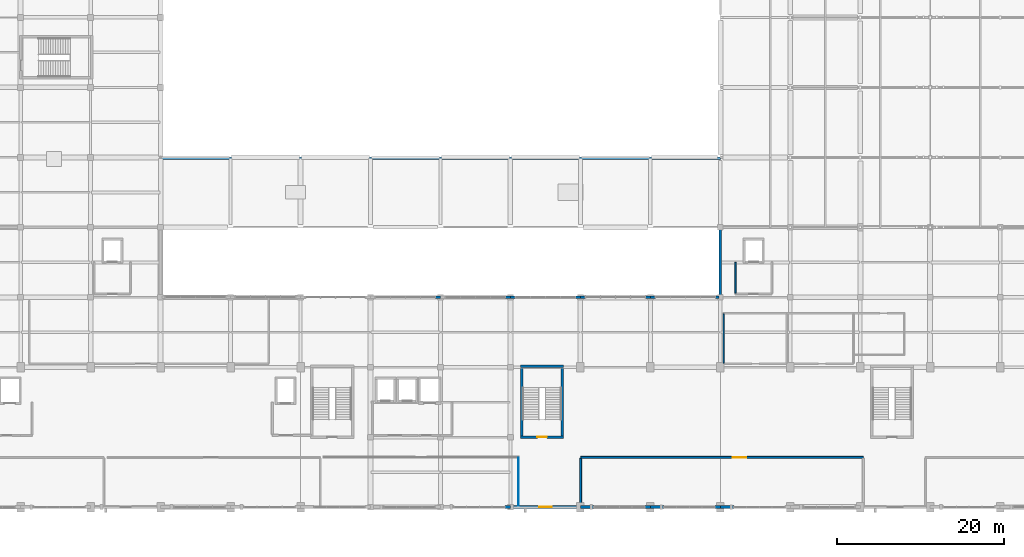
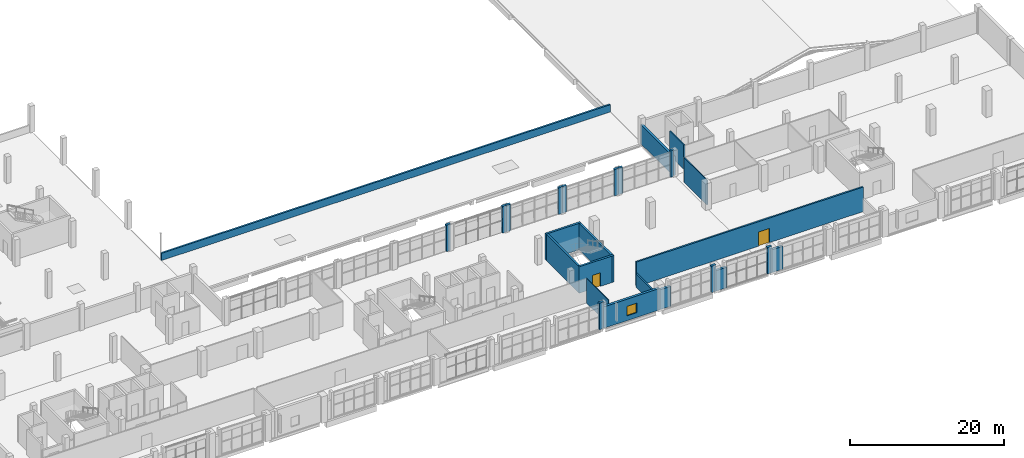
# One storey, part 55 of 64: 26 walls, 2 doors, 1 window, 3 openings.
"""IFC4 building model written with IfcOpenShell, lengths in metres."""

from ifc_helpers import new_model, si_unit, derived_unit, direction, frame, frame_2d, origin, place, context, subcontext, project, spatial, rectangle, extrude, material, layer, layer_set, type_object, element, fill, save


model = new_model("IFC4")

# Units and contexts
model_context = context("Model", 3, precision=1e-05, world=origin(), true_north=direction((0.0, 1.0)))
body_context = subcontext(model_context, "Body", "Model", "MODEL_VIEW")
ifc_project = project(units=[si_unit("LENGTHUNIT", "METRE"), si_unit("AREAUNIT", "SQUARE_METRE"), si_unit("VOLUMEUNIT", "CUBIC_METRE"), si_unit("PLANEANGLEUNIT", "RADIAN"), si_unit("MASSUNIT", "GRAM", prefix="KILO"), derived_unit("THERMALTRANSMITTANCEUNIT", [(si_unit("POWERUNIT", "WATT"), 1), (si_unit("LENGTHUNIT", "METRE"), -2), (si_unit("THERMODYNAMICTEMPERATUREUNIT", "KELVIN"), -1)])], contexts=[model_context])

# Site, building, storey
site_placement = place(None, origin())
site = spatial("IfcSite", under=ifc_project, at=site_placement, CompositionType="ELEMENT")
building_placement = place(site_placement, origin())
building = spatial("IfcBuilding", under=site, at=building_placement, Name="Barrovel Congress Hotel", CompositionType="ELEMENT")
storey_placement = place(building_placement, frame((0.0, 0.0, 14.10009765625)))
storey = spatial("IfcBuildingStorey", under=building, at=storey_placement, Name="L03", CompositionType="ELEMENT", Elevation=14.10009765625)

# Walls
ifc_material_1 = material(Name="Fired Clay Brick Masonry", Category="masonry")
ifc_layer_1 = layer(ifc_material_1, 0.340087890625)
ifc_layer_set_1 = layer_set([ifc_layer_1], Name="Fired Clay Brick Masonry")
wall_type_1 = type_object("IfcWallType", Name="EW-BRK340", PredefinedType="STANDARD", material=ifc_layer_set_1)
wall_1_placement = place(storey_placement, frame((125.830078125, 29.39990234375, 0.0), z_axis=(0.0, 0.0, 1.0), x_axis=(-1.0, 0.0, 0.0)))
element("IfcWall", 1, at=wall_1_placement, inside=storey, type_object=wall_type_1, Name="EW:L03:CSJ-R:14", PredefinedType="STANDARD", context=body_context, shape_type="SweptSolid", body=[
    extrude(rectangle(XDim=0.43017578125, YDim=0.340087890625, at=frame_2d((0.215087890625, 0.0))), origin(), (0.0, 0.0, 1.0), 4.199951171875),
])
wall_2_placement = place(storey_placement, frame((118.199951171875, 29.39990234375, 0.0), z_axis=(0.0, 0.0, 1.0), x_axis=(-1.0, 0.0, 0.0)))
element("IfcWall", 2, at=wall_2_placement, inside=storey, type_object=wall_type_1, Name="EW:L03:CSJ-L:14", PredefinedType="STANDARD", context=body_context, shape_type="SweptSolid", body=[
    extrude(rectangle(XDim=0.599853515625, YDim=0.340087890625, at=frame_2d((0.2998046875, 0.0))), origin(), (0.0, 0.0, 1.0), 4.199951171875),
])
for number, where, z_axis, x_axis, name in (
    (3, (117.60009765625, 29.39990234375, 0.0), (0.0, 0.0, 1.0), (-1.0, 0.0, 0.0), "EW:L03:CSJ-R:13"),
    (4, (109.800048828125, 29.39990234375, 0.0), (0.0, 0.0, 1.0), (-1.0, 0.0, 0.0), "EW:L03:CSJ-L:13"),
):
    element("IfcWall", number, at=place(storey_placement, frame(where, z_axis=z_axis, x_axis=x_axis)), inside=storey, type_object=wall_type_1, Name=name, PredefinedType="STANDARD", context=body_context, shape_type="SweptSolid", body=[
        extrude(rectangle(XDim=0.60009765625, YDim=0.340087890625, at=frame_2d((0.300048828125, 0.0))), origin(), (0.0, 0.0, 1.0), 4.199951171875),
    ])
for number, where, z_axis, x_axis, name in (
    (5, (109.199951171875, 29.39990234375, 0.0), (0.0, 0.0, 1.0), (-1.0, 0.0, 0.0), "EW:L03:CSJ-R:12"),
    (6, (101.39990234375, 29.39990234375, 0.0), (0.0, 0.0, 1.0), (-1.0, 0.0, 0.0), "EW:L03:CSJ-L:12"),
):
    element("IfcWall", number, at=place(storey_placement, frame(where, z_axis=z_axis, x_axis=x_axis)), inside=storey, type_object=wall_type_1, Name=name, PredefinedType="STANDARD", context=body_context, shape_type="SweptSolid", body=[
        extrude(rectangle(XDim=0.599853515625, YDim=0.340087890625, at=frame_2d((0.2998046875, 0.0))), origin(), (0.0, 0.0, 1.0), 4.199951171875),
    ])
wall_3_placement = place(storey_placement, frame((100.800048828125, 29.39990234375, 0.0), z_axis=(0.0, 0.0, 1.0), x_axis=(-1.0, 0.0, 0.0)))
element("IfcWall", 7, at=wall_3_placement, inside=storey, type_object=wall_type_1, Name="EW:L03:CSJ-R:11", PredefinedType="STANDARD", context=body_context, shape_type="SweptSolid", body=[
    extrude(rectangle(XDim=0.60009765625, YDim=0.340087890625, at=frame_2d((0.300048828125, 0.0))), origin(), (0.0, 0.0, 1.0), 4.199951171875),
])
wall_4_placement = place(storey_placement, frame((92.39990234375, 29.39990234375, 0.0), z_axis=(0.0, 0.0, 1.0), x_axis=(-1.0, 0.0, 0.0)))
element("IfcWall", 8, at=wall_4_placement, inside=storey, type_object=wall_type_1, Name="EW:L03:CSJ-R:10", PredefinedType="STANDARD", context=body_context, shape_type="SweptSolid", body=[
    extrude(rectangle(XDim=0.599853515625, YDim=0.340087890625, at=frame_2d((0.2998046875, 0.0))), origin(), (0.0, 0.0, 1.0), 4.199951171875),
])
wall_5_placement = place(storey_placement, frame((126.0, 37.800048828125, 0.0), z_axis=(0.0, 0.0, 1.0), x_axis=(0.0, -1.0, 0.0)))
element("IfcWall", 9, at=wall_5_placement, inside=storey, type_object=wall_type_1, Name="EW:L03:V4E-C", PredefinedType="STANDARD", context=body_context, shape_type="SweptSolid", body=[
    extrude(rectangle(XDim=8.400146484375, YDim=0.340087890625, at=frame_2d((4.2001953125, 0.0))), origin(), (0.0, 0.0, 1.0), 3.0498046875),
])
ifc_layer_2 = layer(ifc_material_1, 0.360107421875)
ifc_layer_set_2 = layer_set([ifc_layer_2], Name="Fired Clay Brick Masonry")
wall_type_2 = type_object("IfcWallType", Name="EW-BRK360", PredefinedType="STANDARD", material=ifc_layer_set_2)
wall_6_placement = place(storey_placement, frame((100.139892578125, 4.199951171875, 0.0), z_axis=(0.0, 0.0, 1.0), x_axis=(1.0, 0.0, 0.0)))
element("IfcWall", 10, at=wall_6_placement, inside=storey, type_object=wall_type_2, Name="EW:L03:SJ-R:11", PredefinedType="STANDARD", context=body_context, shape_type="SweptSolid", body=[
    extrude(rectangle(XDim=0.66015625, YDim=0.360107421875, at=frame_2d((0.330078125, 0.0))), origin(), (0.0, 0.0, 1.0), 4.199951171875),
])

# Wall, opening, window
wall_7_placement = place(storey_placement, frame((100.800048828125, 4.199951171875, 0.0), z_axis=(0.0, 0.0, 1.0), x_axis=(1.0, 0.0, 0.0)))
wall_7 = element("IfcWall", 11, at=wall_7_placement, inside=storey, type_object=wall_type_2, Name="EW:L03:S:12", PredefinedType="STANDARD", context=body_context, shape_type="SweptSolid", body=[
    extrude(rectangle(XDim=8.39990234375, YDim=0.360107421875, at=frame_2d((4.199951171875, 0.0))), origin(), (0.0, 0.0, 1.0), 3.39990234375),
])
opening_1_placement = place(wall_7_placement, frame((3.449951171875, 0.0, 0.75)))
opening_1 = element("IfcOpeningElement", 12, at=opening_1_placement, cuts=wall_7, Name="Opening WN-02", PredefinedType="OPENING", context=body_context, shape_type="SweptSolid", body=[
    extrude(rectangle(XDim=1.5, YDim=1.5, at=frame_2d((0.75, 0.75))), frame((0.0, 0.18994140625, 0.0), z_axis=(0.0, -1.0, 0.0), x_axis=(1.0, 0.0, 0.0)), (0.0, 0.0, 1.0), 0.380126953125),
])
ifc_material_2 = material(Name="Double Low-E Insulated Glazing", Category="glass")
window_type = type_object("IfcWindowType", Name="WIN-WN-02", PartitioningType="SINGLE_PANEL", PredefinedType="WINDOW", material=ifc_material_2)
window_placement = place(opening_1_placement, origin())
window = element("IfcWindow", 13, at=window_placement, inside=storey, type_object=window_type, Name="WIN:L03:S:12", OverallHeight=1.5, OverallWidth=1.5, PartitioningType="SINGLE_PANEL", PredefinedType="WINDOW", context=body_context, shape_type="SweptSolid", body=[
    extrude(rectangle(XDim=1.5, YDim=1.5, at=frame_2d((0.75, 0.75))), frame((0.0, 0.030029296875, 0.0), z_axis=(0.0, -1.0, 0.0), x_axis=(1.0, 0.0, 0.0)), (0.0, 0.0, 1.0), 0.06005859375),
])
fill(opening_1, window)

# Walls
wall_8_placement = place(storey_placement, frame((109.199951171875, 4.199951171875, 0.0), z_axis=(0.0, 0.0, 1.0), x_axis=(1.0, 0.0, 0.0)))
element("IfcWall", 14, at=wall_8_placement, inside=storey, type_object=wall_type_2, Name="EW:L03:SJ-L:13", PredefinedType="STANDARD", context=body_context, shape_type="SweptSolid", body=[
    extrude(rectangle(XDim=1.6201171875, YDim=0.360107421875, at=frame_2d((0.81005859375, 0.0))), origin(), (0.0, 0.0, 1.0), 3.14990234375),
])
wall_9_placement = place(storey_placement, frame((116.93994140625, 4.199951171875, 0.0), z_axis=(0.0, 0.0, 1.0), x_axis=(1.0, 0.0, 0.0)))
element("IfcWall", 15, at=wall_9_placement, inside=storey, type_object=wall_type_2, Name="EW:L03:SJ-R:13", PredefinedType="STANDARD", context=body_context, shape_type="SweptSolid", body=[
    extrude(rectangle(XDim=0.66015625, YDim=0.360107421875, at=frame_2d((0.330078125, 0.0))), origin(), (0.0, 0.0, 1.0), 4.199951171875),
])
wall_10_placement = place(storey_placement, frame((117.60009765625, 4.199951171875, 0.0), z_axis=(0.0, 0.0, 1.0), x_axis=(1.0, 0.0, 0.0)))
element("IfcWall", 16, at=wall_10_placement, inside=storey, type_object=wall_type_2, Name="EW:L03:SJ-L:14", PredefinedType="STANDARD", context=body_context, shape_type="SweptSolid", body=[
    extrude(rectangle(XDim=1.619873046875, YDim=0.360107421875, at=frame_2d((0.81005859375, 0.0))), origin(), (0.0, 0.0, 1.0), 3.25),
])
wall_11_placement = place(storey_placement, frame((125.340087890625, 4.199951171875, 0.0), z_axis=(0.0, 0.0, 1.0), x_axis=(1.0, 0.0, 0.0)))
element("IfcWall", 17, at=wall_11_placement, inside=storey, type_object=wall_type_2, Name="EW:L03:SJ-R:14", PredefinedType="STANDARD", context=body_context, shape_type="SweptSolid", body=[
    extrude(rectangle(XDim=0.659912109375, YDim=0.360107421875, at=frame_2d((0.330078125, 0.0))), origin(), (0.0, 0.0, 1.0), 4.199951171875),
])
wall_12_placement = place(storey_placement, frame((126.0, 4.199951171875, 0.0), z_axis=(0.0, 0.0, 1.0), x_axis=(1.0, 0.0, 0.0)))
element("IfcWall", 18, at=wall_12_placement, inside=storey, type_object=wall_type_2, Name="EW:L03:SJ-L:15", PredefinedType="STANDARD", context=body_context, shape_type="SweptSolid", body=[
    extrude(rectangle(XDim=1.6201171875, YDim=0.360107421875, at=frame_2d((0.81005859375, 0.0))), origin(), (0.0, 0.0, 1.0), 3.59521484375),
])
ifc_layer_3 = layer(ifc_material_1, 0.260009765625)
ifc_layer_set_3 = layer_set([ifc_layer_3], Name="Fired Clay Brick Masonry")
wall_type_3 = type_object("IfcWallType", Name="EW-PAR260", PredefinedType="PARAPET", material=ifc_layer_set_3)
wall_13_placement = place(storey_placement, frame((58.800048828125, 46.10009765625, 0.0), z_axis=(0.0, 0.0, 1.0), x_axis=(1.0, 0.0, 0.0)))
element("IfcWall", 19, at=wall_13_placement, inside=storey, type_object=wall_type_3, Name="PAR:L03:04", PredefinedType="PARAPET", context=body_context, shape_type="SweptSolid", body=[
    extrude(rectangle(XDim=67.199951171875, YDim=0.260009765625, at=frame_2d((33.60009765625, 0.0))), origin(), (0.0, 0.0, 1.0), 1.14990234375),
])
ifc_material_3 = material(Name="Gypsum Acoustic Stud", Category="gypsum")
ifc_layer_4 = layer(ifc_material_3, 0.179931640625)
ifc_layer_set_4 = layer_set([ifc_layer_4], Name="Gypsum Acoustic Stud")
wall_type_4 = type_object("IfcWallType", Name="PW-ACU-180", PredefinedType="PARTITIONING", material=ifc_layer_set_4)
wall_14_placement = place(storey_placement, frame((127.820068359375, 29.909912109375, 0.0), z_axis=(0.0, 0.0, 1.0), x_axis=(0.0, 1.0, 0.0)))
element("IfcWall", 20, at=wall_14_placement, inside=storey, type_object=wall_type_4, Name="RW:SP:L03:LL-CL2:W", PredefinedType="PARTITIONING", context=body_context, shape_type="SweptSolid", body=[
    extrude(rectangle(XDim=3.670166015625, YDim=0.179931640625, at=frame_2d((1.8349609375, 0.0))), origin(), (0.0, 0.0, 1.0), 3.89501953125),
])
ifc_layer_5 = layer(ifc_material_3, 0.10009765625)
ifc_layer_set_5 = layer_set([ifc_layer_5], Name="Gypsum Acoustic Stud")
wall_type_5 = type_object("IfcWallType", Name="PW-LGT-100", PredefinedType="PARTITIONING", material=ifc_layer_set_5)
wall_15_placement = place(storey_placement, frame((101.780029296875, 4.3798828125, 0.0), z_axis=(0.0, 0.0, 1.0), x_axis=(0.0, 1.0, 0.0)))
element("IfcWall", 21, at=wall_15_placement, inside=storey, type_object=wall_type_5, Name="RW:SP:L03:EXEC-3:E", PredefinedType="PARTITIONING", context=body_context, shape_type="SweptSolid", body=[
    extrude(rectangle(XDim=5.75, YDim=0.10009765625, at=frame_2d((2.875, 0.0))), origin(), (0.0, 0.0, 1.0), 3.89501953125),
])

# Wall, opening, door
ifc_layer_6 = layer(ifc_material_1, 0.239990234375)
ifc_layer_set_6 = layer_set([ifc_layer_6], Name="Fired Clay Brick Masonry")
wall_type_6 = type_object("IfcWallType", Name="PW-MAS-240", PredefinedType="PARTITIONING", material=ifc_layer_set_6)
wall_16_placement = place(storey_placement, frame((109.219970703125, 10.179931640625, 0.0), z_axis=(0.0, 0.0, 1.0), x_axis=(1.0, 0.0, 0.0)))
wall_16 = element("IfcWall", 22, at=wall_16_placement, inside=storey, type_object=wall_type_6, Name="RW:SP:L03:HOSP-1:N", PredefinedType="PARTITIONING", context=body_context, shape_type="SweptSolid", body=[
    extrude(rectangle(XDim=33.9599609375, YDim=0.239990234375, at=frame_2d((16.97998046875, 0.0))), origin(), (0.0, 0.0, 1.0), 3.89501953125),
])
opening_2_placement = place(wall_16_placement, frame((18.280029296875, 0.0, 0.0)))
opening_2 = element("IfcOpeningElement", 23, at=opening_2_placement, cuts=wall_16, Name="Opening ID-MTG", PredefinedType="OPENING", context=body_context, shape_type="SweptSolid", body=[
    extrude(rectangle(XDim=1.60009765625, YDim=2.25, at=frame_2d((0.800048828125, 1.125))), frame((0.0, 0.1298828125, 0.0), z_axis=(0.0, -1.0, 0.0), x_axis=(1.0, 0.0, 0.0)), (0.0, 0.0, 1.0), 0.260009765625),
])
ifc_material_4 = material(Name="Solid Oak Acoustic Timber Door", Category="wood")
door_type_1 = type_object("IfcDoorType", Name="IDR-ID-MTG", OperationType="NOTDEFINED", PredefinedType="DOOR", material=ifc_material_4)
door_1_placement = place(opening_2_placement, origin())
door_1 = element("IfcDoor", 24, at=door_1_placement, inside=storey, type_object=door_type_1, Name="RD:SP:L03:HOSP-1", OperationType="DOUBLE_DOOR_SINGLE_SWING", OverallHeight=2.25, OverallWidth=1.60009765625, PredefinedType="DOOR", context=body_context, shape_type="SweptSolid", body=[
    extrude(rectangle(XDim=1.60009765625, YDim=2.25, at=frame_2d((0.800048828125, 1.125))), frame((0.0, 0.02490234375, 0.0), z_axis=(0.0, -1.0, 0.0), x_axis=(1.0, 0.0, 0.0)), (0.0, 0.0, 1.0), 0.050048828125),
])
fill(opening_2, door_1)

# Walls
wall_17_placement = place(storey_placement, frame((109.219970703125, 4.3798828125, 0.0), z_axis=(0.0, 0.0, 1.0), x_axis=(0.0, 1.0, 0.0)))
element("IfcWall", 25, at=wall_17_placement, inside=storey, type_object=wall_type_6, Name="RW:SP:L03:HOSP-1:W", PredefinedType="PARTITIONING", context=body_context, shape_type="SweptSolid", body=[
    extrude(rectangle(XDim=5.68017578125, YDim=0.239990234375, at=frame_2d((2.840087890625, 0.0))), origin(), (0.0, 0.0, 1.0), 2.099853515625),
])
ifc_material_5 = material(Name="Gypsum Moisture Board", Category="gypsum")
ifc_layer_7 = layer(ifc_material_5, 0.139892578125)
ifc_layer_set_7 = layer_set([ifc_layer_7], Name="Gypsum Moisture Board")
wall_type_7 = type_object("IfcWallType", Name="PW-WET-140", PredefinedType="PARTITIONING", material=ifc_layer_set_7)
wall_18_placement = place(storey_placement, frame((126.419921875, 21.489990234375, 0.0), z_axis=(0.0, 0.0, 1.0), x_axis=(0.0, 1.0, 0.0)))
element("IfcWall", 26, at=wall_18_placement, inside=storey, type_object=wall_type_7, Name="RW:SP:L03:WC-M3:W", PredefinedType="PARTITIONING", context=body_context, shape_type="SweptSolid", body=[
    extrude(rectangle(XDim=5.919921875, YDim=0.139892578125, at=frame_2d((2.9599609375, 0.0))), origin(), (0.0, 0.0, 1.0), 3.89501953125),
])

# Wall, opening, door
ifc_material_6 = material(Name="Concrete C40", Category="concrete")
ifc_layer_8 = layer(ifc_material_6, 0.300048828125)
ifc_layer_set_8 = layer_set([ifc_layer_8], Name="Concrete C40")
wall_type_8 = type_object("IfcWallType", Name="SW-C40-300", PredefinedType="SHEAR", material=ifc_layer_set_8)
wall_19_placement = place(storey_placement, frame((102.0, 12.610107421875, 0.0), z_axis=(0.0, 0.0, 1.0), x_axis=(1.0, 0.0, 0.0)))
wall_19 = element("IfcWall", 27, at=wall_19_placement, inside=storey, type_object=wall_type_8, Name="SHW:XS-03:L03:S", PredefinedType="SHEAR", context=body_context, shape_type="SweptSolid", body=[
    extrude(rectangle(XDim=5.199951171875, YDim=0.300048828125, at=frame_2d((2.60009765625, 0.0))), origin(), (0.0, 0.0, 1.0), 4.199951171875),
])
opening_3_placement = place(wall_19_placement, frame((2.02490234375, 0.0, 0.0)))
opening_3 = element("IfcOpeningElement", 28, at=opening_3_placement, cuts=wall_19, Name="Opening ID-ST1", PredefinedType="OPENING", context=body_context, shape_type="SweptSolid", body=[
    extrude(rectangle(XDim=1.14990234375, YDim=2.14990234375, at=frame_2d((0.574951171875, 1.074951171875))), frame((0.0, 0.16015625, 0.0), z_axis=(0.0, -1.0, 0.0), x_axis=(1.0, 0.0, 0.0)), (0.0, 0.0, 1.0), 0.320068359375),
])
ifc_material_7 = material(Name="Painted Hollow-Metal Steel Door", Category="steel")
door_type_2 = type_object("IfcDoorType", Name="IDR-ID-ST1", OperationType="NOTDEFINED", PredefinedType="DOOR", material=ifc_material_7)
door_2_placement = place(opening_3_placement, origin())
door_2 = element("IfcDoor", 29, at=door_2_placement, inside=storey, type_object=door_type_2, Name="Stair Core Fire Door XS-03-L03", OperationType="SINGLE_SWING_LEFT", OverallHeight=2.14990234375, OverallWidth=1.14990234375, PredefinedType="DOOR", context=body_context, shape_type="SweptSolid", body=[
    extrude(rectangle(XDim=1.14990234375, YDim=2.14990234375, at=frame_2d((0.574951171875, 1.074951171875))), frame((0.0, 0.02490234375, 0.0), z_axis=(0.0, -1.0, 0.0), x_axis=(1.0, 0.0, 0.0)), (0.0, 0.0, 1.0), 0.050048828125),
])
fill(opening_3, door_2)

# Walls
wall_20_placement = place(storey_placement, frame((107.050048828125, 12.4599609375, 0.0), z_axis=(0.0, 0.0, 1.0), x_axis=(0.0, 1.0, 0.0)))
element("IfcWall", 30, at=wall_20_placement, inside=storey, type_object=wall_type_8, Name="SHW:XS-03:L03:E", PredefinedType="SHEAR", context=body_context, shape_type="SweptSolid", body=[
    extrude(rectangle(XDim=8.840087890625, YDim=0.300048828125, at=frame_2d((4.419921875, 0.0))), origin(), (0.0, 0.0, 1.0), 4.199951171875),
])
wall_21_placement = place(storey_placement, frame((107.199951171875, 21.14990234375, 0.0), z_axis=(0.0, 0.0, 1.0), x_axis=(-1.0, 0.0, 0.0)))
element("IfcWall", 31, at=wall_21_placement, inside=storey, type_object=wall_type_8, Name="SHW:XS-03:L03:N", PredefinedType="SHEAR", context=body_context, shape_type="SweptSolid", body=[
    extrude(rectangle(XDim=5.199951171875, YDim=0.300048828125, at=frame_2d((2.60009765625, 0.0))), origin(), (0.0, 0.0, 1.0), 4.199951171875),
])
wall_22_placement = place(storey_placement, frame((102.14990234375, 21.300048828125, 0.0), z_axis=(0.0, 0.0, 1.0), x_axis=(0.0, -1.0, 0.0)))
element("IfcWall", 32, at=wall_22_placement, inside=storey, type_object=wall_type_8, Name="SHW:XS-03:L03:W", PredefinedType="SHEAR", context=body_context, shape_type="SweptSolid", body=[
    extrude(rectangle(XDim=8.840087890625, YDim=0.300048828125, at=frame_2d((4.419921875, 0.0))), origin(), (0.0, 0.0, 1.0), 4.199951171875),
])

save(model, "model.ifc")
